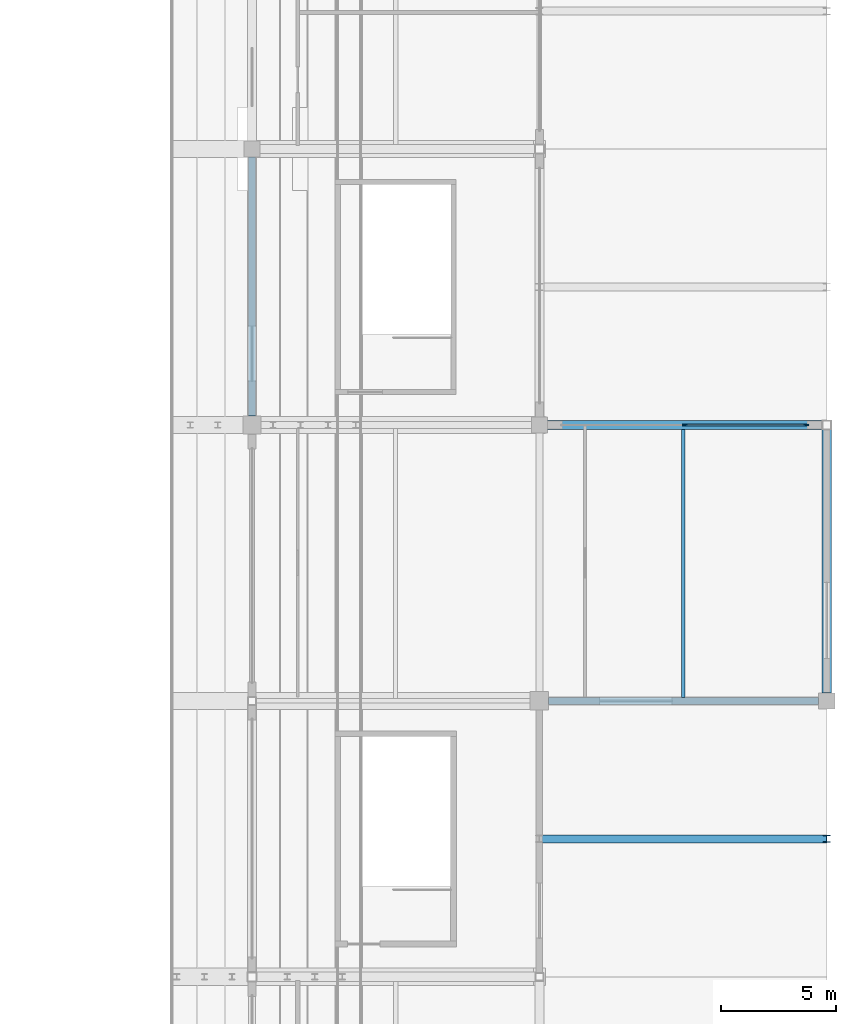
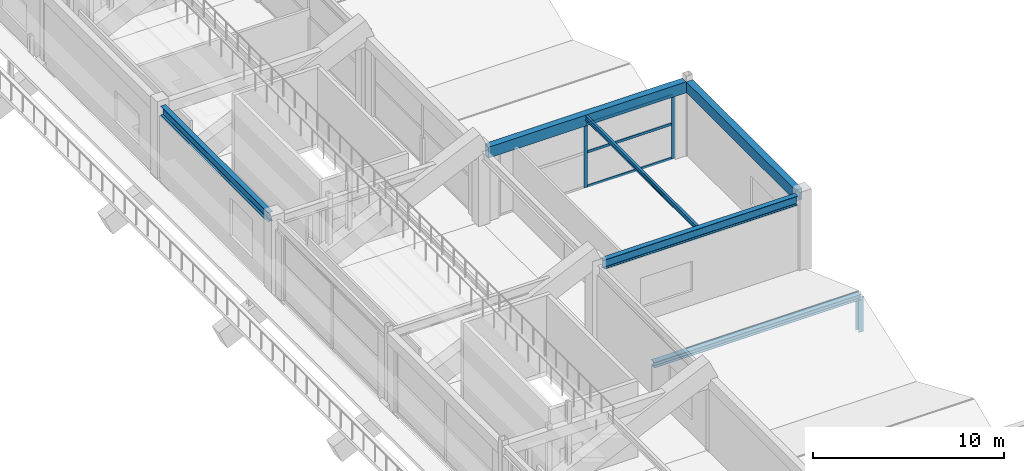
# One storey, part 53 of 128: 7 members, 5 beams, 1 element without a shape of its own.
"""IFC4 building model written with IfcOpenShell, lengths in metres."""

from ifc_helpers import new_model, si_unit, direction, frame, origin, origin_2d, place, context, subcontext, project, spatial, rectangle, i_section, extrude, material, layer, layer_set, material_profile, profile_set, type_object, element, aggregate, save


model = new_model("IFC4")

# Units and contexts
model_context = context("Model", 3, precision=1e-05, world=origin(), true_north=direction((0.0, 1.0)))
body_context = subcontext(model_context, "Body", "Model", "MODEL_VIEW")
ifc_project = project(units=[si_unit("LENGTHUNIT", "METRE"), si_unit("AREAUNIT", "SQUARE_METRE"), si_unit("VOLUMEUNIT", "CUBIC_METRE"), si_unit("PLANEANGLEUNIT", "RADIAN"), si_unit("MASSUNIT", "GRAM", prefix="KILO")], contexts=[model_context])

# Site, building, storey
site_placement = place(None, origin())
site = spatial("IfcSite", under=ifc_project, at=site_placement, CompositionType="ELEMENT")
building_placement = place(site_placement, origin())
building = spatial("IfcBuilding", under=site, at=building_placement, Name="Kazenohara Klinker Stadium", CompositionType="ELEMENT")
storey_placement = place(building_placement, frame((0.0, 0.0, 15.300048828125)))
storey = spatial("IfcBuildingStorey", under=building, at=storey_placement, Name="L03", CompositionType="ELEMENT", Elevation=15.300048828125)

# Beams
ifc_material_1 = material(Name="Steel S355", Category="steel")
ifc_material_profile_1 = material_profile(ifc_material_1, i_section(OverallWidth=0.14990234375, OverallDepth=0.300048828125, WebThickness=0.006591796875, FlangeThickness=0.009033203125, FilletRadius=0.012939453125, at=origin_2d()), Name="H-300x150x6.5x9")
ifc_profile_set_1 = profile_set([ifc_material_profile_1], Name="Steel S355")
beam_type_1 = type_object("IfcBeamType", Name="BM-JST05", PredefinedType="JOIST", material=ifc_profile_set_1)
beam_1_placement = place(storey_placement, frame((193.75, 60.14990234375, 4.60986328125), z_axis=(0.0, 1.0, 0.0), x_axis=(-1.0, 0.0, 0.0)))
element("IfcBeam", 1, at=beam_1_placement, inside=storey, type_object=beam_type_1, Name="Secondary floor joist SJ05 L03 16/F", PredefinedType="JOIST", context=body_context, shape_type="SweptSolid", body=[
    extrude(i_section(OverallWidth=0.14990234375, OverallDepth=0.300048828125, WebThickness=0.006591796875, FlangeThickness=0.009033203125, FilletRadius=0.012939453125, at=origin_2d()), origin(), (0.0, 0.0, 1.0), 11.650146484375),
])
ifc_material_2 = material(Name="Concrete C40/50", Category="concrete")
ifc_material_profile_2 = material_profile(ifc_material_2, rectangle(XDim=0.39990234375, YDim=0.699951171875, at=origin_2d()), Name="RC-BM-400x700")
ifc_profile_set_2 = profile_set([ifc_material_profile_2], Name="Concrete C40/50")
beam_type_2 = type_object("IfcBeamType", Name="BM-RC04", PredefinedType="BEAM", material=ifc_profile_set_2)
beam_2_placement = place(storey_placement, frame((187.85009765625, 72.0, 4.409912109375), z_axis=(1.0, 0.0, 0.0), x_axis=(0.0, 1.0, 0.0)))
element("IfcBeam", 2, at=beam_2_placement, inside=storey, type_object=beam_type_2, Name="Primary girder BG04 L03 16-17/G", PredefinedType="BEAM", context=body_context, shape_type="SweptSolid", body=[
    extrude(rectangle(XDim=0.39990234375, YDim=0.699951171875, at=origin_2d()), origin(), (0.0, 0.0, 1.0), 11.949951171875),
])
beam_3_placement = place(storey_placement, frame((200.0, 60.35009765625, 4.409912109375), z_axis=(0.0, 1.0, 0.0), x_axis=(-1.0, 0.0, 0.0)))
element("IfcBeam", 3, at=beam_3_placement, inside=storey, type_object=beam_type_2, Name="Primary girder BG04 L03 17/F-G", PredefinedType="BEAM", context=body_context, shape_type="SweptSolid", body=[
    extrude(rectangle(XDim=0.39990234375, YDim=0.699951171875, at=origin_2d()), origin(), (0.0, 0.0, 1.0), 11.449951171875),
])
ifc_material_profile_3 = material_profile(ifc_material_1, i_section(OverallWidth=0.300048828125, OverallDepth=0.587890625, WebThickness=0.011962890625, FlangeThickness=0.02001953125, FilletRadius=0.02197265625, at=origin_2d()), Name="H-588x300x12x20")
ifc_profile_set_3 = profile_set([ifc_material_profile_3], Name="Steel S355")
beam_type_3 = type_object("IfcBeamType", Name="BM-ST05", PredefinedType="BEAM", material=ifc_profile_set_3)
beam_4_placement = place(storey_placement, frame((187.89990234375, 60.0, 4.466064453125), z_axis=(1.0, 0.0, 0.0), x_axis=(0.0, 1.0, 0.0)))
element("IfcBeam", 4, at=beam_4_placement, inside=storey, type_object=beam_type_3, Name="Primary girder SB05 L03 16-17/F", PredefinedType="BEAM", context=body_context, shape_type="SweptSolid", body=[
    extrude(i_section(OverallWidth=0.300048828125, OverallDepth=0.587890625, WebThickness=0.011962890625, FlangeThickness=0.02001953125, FilletRadius=0.02197265625, at=origin_2d()), origin(), (0.0, 0.0, 1.0), 11.75),
])
beam_5_placement = place(storey_placement, frame((175.0, 72.39990234375, 4.466064453125), z_axis=(0.0, 1.0, 0.0), x_axis=(-1.0, 0.0, 0.0)))
element("IfcBeam", 5, at=beam_5_placement, inside=storey, type_object=beam_type_3, Name="Primary girder SB05 L03 15/G-H", PredefinedType="BEAM", context=body_context, shape_type="SweptSolid", body=[
    extrude(i_section(OverallWidth=0.300048828125, OverallDepth=0.587890625, WebThickness=0.011962890625, FlangeThickness=0.02001953125, FilletRadius=0.02197265625, at=origin_2d()), origin(), (0.0, 0.0, 1.0), 11.25),
])

# Curtain wall, members
ifc_material_3 = material(Name="Anodised aluminium and triple glazing", Category="aluminium")
ifc_layer = layer(ifc_material_3, 0.159912109375)
ifc_layer_set = layer_set([ifc_layer], Name="Anodised aluminium and triple glazing")
curtain_wall_type = type_object("IfcCurtainWallType", Name="CW-SYS-01", PredefinedType="USERDEFINED", material=ifc_layer_set)
curtain_wall_placement = place(storey_placement, origin())
curtain_wall = element("IfcCurtainWall", 6, at=curtain_wall_placement, inside=storey, type_object=curtain_wall_type, Name="Unitised facade curtain wall CW01 L03 X15-6", ObjectType="UNITISED CURTAIN WALL", PredefinedType="USERDEFINED")
ifc_material_4 = material(Name="Anodised aluminium 6063-T6", Category="aluminium")
ifc_material_profile_4 = material_profile(ifc_material_4, rectangle(XDim=0.074951171875, YDim=0.219970703125, at=origin_2d()), Name="ALU-MUL-75x220")
ifc_profile_set_4 = profile_set([ifc_material_profile_4], Name="Anodised aluminium 6063-T6")
member_type_1 = type_object("IfcMemberType", Name="CW-MUL-220", PredefinedType="MULLION", material=ifc_profile_set_4)
member_1_placement = place(storey_placement, frame((193.824951171875, 72.0, 0.0), z_axis=(0.0, 0.0, 1.0), x_axis=(0.0, 1.0, 0.0)))
member_1 = element("IfcMember", 7, at=member_1_placement, type_object=member_type_1, Name="CW01 mullion 2", PredefinedType="MULLION", context=body_context, shape_type="SweptSolid", body=[
    extrude(rectangle(XDim=0.074951171875, YDim=0.219970703125, at=origin_2d()), origin(), (0.0, 0.0, 1.0), 4.06005859375),
])
member_2_placement = place(storey_placement, frame((199.1083984375, 72.0, 0.0), z_axis=(0.0, 0.0, 1.0), x_axis=(0.0, 1.0, 0.0)))
member_2 = element("IfcMember", 8, at=member_2_placement, type_object=member_type_1, Name="CW01 mullion 3", PredefinedType="MULLION", context=body_context, shape_type="SweptSolid", body=[
    extrude(rectangle(XDim=0.074951171875, YDim=0.219970703125, at=origin_2d()), origin(), (0.0, 0.0, 1.0), 4.06005859375),
])
ifc_material_profile_5 = material_profile(ifc_material_4, rectangle(XDim=0.074951171875, YDim=0.159912109375, at=origin_2d()), Name="ALU-TRN-75x160")
ifc_profile_set_5 = profile_set([ifc_material_profile_5], Name="Anodised aluminium 6063-T6")
member_type_2 = type_object("IfcMemberType", Name="CW-TRN-160", PredefinedType="USERDEFINED", material=ifc_profile_set_5)
member_3_placement = place(storey_placement, frame((193.862548828125, 72.0, 0.037353515625), z_axis=(1.0, 0.0, 0.0), x_axis=(0.0, 1.0, 0.0)))
member_3 = element("IfcMember", 9, at=member_3_placement, type_object=member_type_2, Name="CW01 transom 2.1", ObjectType="TRANSOM", PredefinedType="USERDEFINED", context=body_context, shape_type="SweptSolid", body=[
    extrude(rectangle(XDim=0.074951171875, YDim=0.159912109375, at=origin_2d()), origin(), (0.0, 0.0, 1.0), 5.20849609375),
])
member_4_placement = place(storey_placement, frame((193.862548828125, 72.0, 2.23291015625), z_axis=(1.0, 0.0, 0.0), x_axis=(0.0, 1.0, 0.0)))
member_4 = element("IfcMember", 10, at=member_4_placement, type_object=member_type_2, Name="CW01 transom 2.2", ObjectType="TRANSOM", PredefinedType="USERDEFINED", context=body_context, shape_type="SweptSolid", body=[
    extrude(rectangle(XDim=0.074951171875, YDim=0.159912109375, at=origin_2d()), origin(), (0.0, 0.0, 1.0), 5.20849609375),
])
member_5_placement = place(storey_placement, frame((193.862548828125, 72.0, 4.0224609375), z_axis=(1.0, 0.0, 0.0), x_axis=(0.0, 1.0, 0.0)))
member_5 = element("IfcMember", 11, at=member_5_placement, type_object=member_type_2, Name="CW01 transom 2.3", ObjectType="TRANSOM", PredefinedType="USERDEFINED", context=body_context, shape_type="SweptSolid", body=[
    extrude(rectangle(XDim=0.074951171875, YDim=0.159912109375, at=origin_2d()), origin(), (0.0, 0.0, 1.0), 5.20849609375),
])
aggregate(curtain_wall, [member_1, member_2, member_3, member_4, member_5])

# Members
ifc_material_profile_6 = material_profile(ifc_material_1, i_section(OverallWidth=0.35009765625, OverallDepth=0.35009765625, WebThickness=0.011962890625, FlangeThickness=0.01904296875, FilletRadius=0.012939453125, at=origin_2d()), Name="H-350x350x12x19")
ifc_profile_set_6 = profile_set([ifc_material_profile_6], Name="Steel S355")
member_type_3 = type_object("IfcMemberType", Name="MEM-CHD02", PredefinedType="CHORD", material=ifc_profile_set_6)
member_6_placement = place(storey_placement, frame((187.5, 54.0, 1.829833984375), z_axis=(1.0, 0.0, 0.0), x_axis=(0.0, 1.0, 0.0)))
element("IfcMember", 12, at=member_6_placement, inside=storey, type_object=member_type_3, Name="Stepped pavilion gable ridge beam L03 16/E", PredefinedType="CHORD", context=body_context, shape_type="SweptSolid", body=[
    extrude(i_section(OverallWidth=0.35009765625, OverallDepth=0.35009765625, WebThickness=0.011962890625, FlangeThickness=0.01904296875, FilletRadius=0.012939453125, at=origin_2d()), origin(), (0.0, 0.0, 1.0), 12.5),
])
ifc_material_profile_7 = material_profile(ifc_material_1, i_section(OverallWidth=0.300048828125, OverallDepth=0.300048828125, WebThickness=0.010009765625, FlangeThickness=0.014892578125, FilletRadius=0.012939453125, at=origin_2d()), Name="H-300x300x10x15")
ifc_profile_set_7 = profile_set([ifc_material_profile_7], Name="Steel S355")
member_type_4 = type_object("IfcMemberType", Name="MEM-STR01", PredefinedType="STRUT", material=ifc_profile_set_7)
member_7_placement = place(storey_placement, frame((200.0, 54.0, -0.429931640625), z_axis=(0.0, 0.0, 1.0), x_axis=(1.0, 0.0, 0.0)))
element("IfcMember", 13, at=member_7_placement, inside=storey, type_object=member_type_4, Name="Stepped pavilion gable king-post L03 16/E E", PredefinedType="STRUT", context=body_context, shape_type="SweptSolid", body=[
    extrude(i_section(OverallWidth=0.300048828125, OverallDepth=0.300048828125, WebThickness=0.010009765625, FlangeThickness=0.014892578125, FilletRadius=0.012939453125, at=origin_2d()), origin(), (0.0, 0.0, 1.0), 2.259765625),
])

save(model, "model.ifc")
